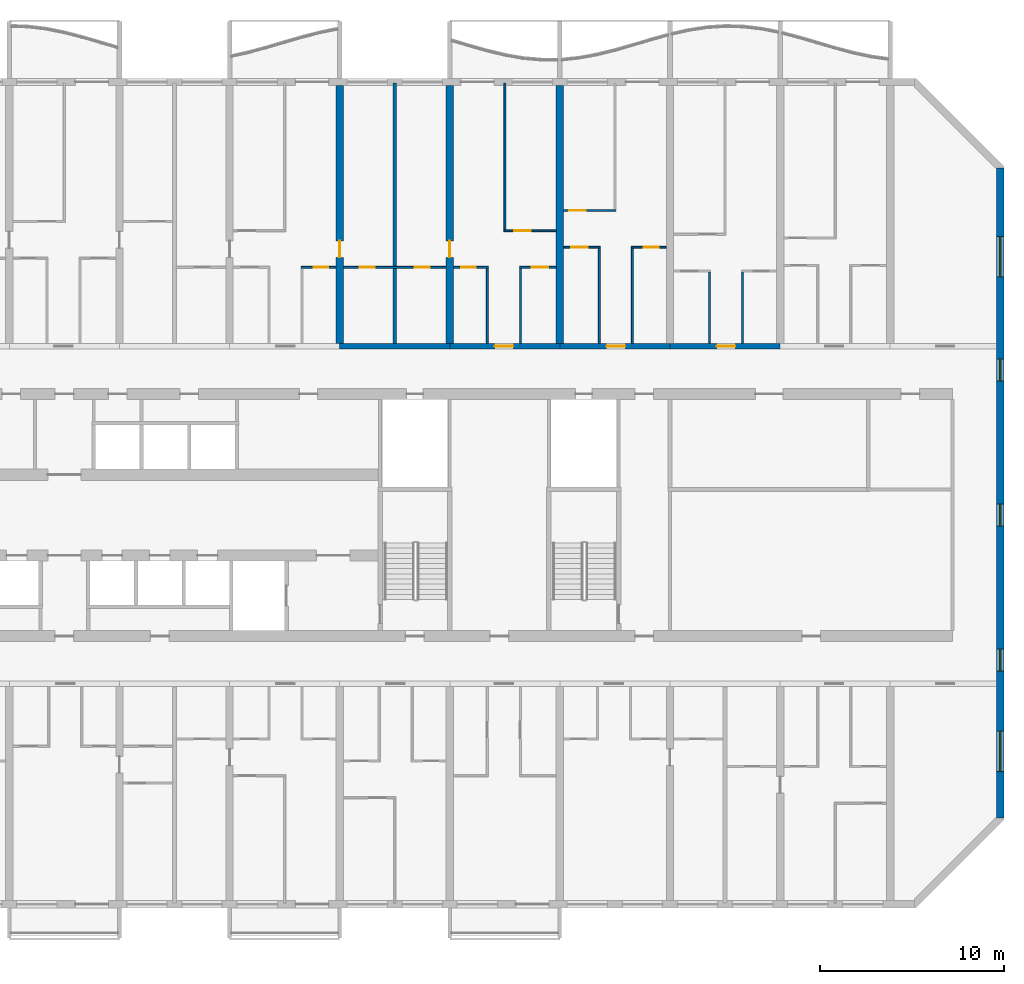
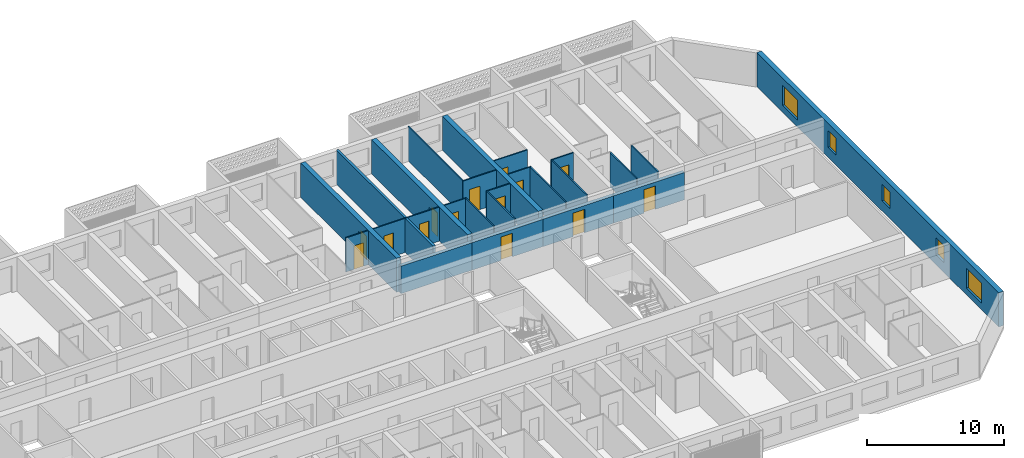
# One storey, part 16 of 40: 24 walls, 14 doors, 5 windows, 19 openings.
"""IFC4 building model written with IfcOpenShell, lengths in metres."""

from ifc_helpers import new_model, si_unit, direction, frame, frame_2d, origin, place, context, subcontext, project, spatial, rectangle, extrude, material, layer, layer_set, type_object, element, fill, save


model = new_model("IFC4")

# Units and contexts
model_context = context("Model", 3, precision=1e-05, world=origin(), true_north=direction((0.0, 1.0)))
body_context = subcontext(model_context, "Body", "Model", "MODEL_VIEW")
ifc_project = project(units=[si_unit("LENGTHUNIT", "METRE"), si_unit("AREAUNIT", "SQUARE_METRE"), si_unit("VOLUMEUNIT", "CUBIC_METRE"), si_unit("PLANEANGLEUNIT", "RADIAN"), si_unit("MASSUNIT", "GRAM", prefix="KILO")], contexts=[model_context])

# Site, building, storey
site_placement = place(None, origin())
site = spatial("IfcSite", under=ifc_project, at=site_placement, CompositionType="ELEMENT")
building_placement = place(site_placement, origin())
building = spatial("IfcBuilding", under=site, at=building_placement, Name="Poui Terraces", CompositionType="ELEMENT")
storey_placement = place(building_placement, frame((0.0, 0.0, 36.60009765625)))
storey = spatial("IfcBuildingStorey", under=building, at=storey_placement, Name="L09", CompositionType="ELEMENT", Elevation=36.60009765625)

# Wall
ifc_material_1 = material(Name="Concrete 80 MPa", Category="concrete")
ifc_layer_1 = layer(ifc_material_1, 0.300048828125)
ifc_layer_set_1 = layer_set([ifc_layer_1], Name="Concrete 80 MPa")
wall_type_1 = type_object("IfcWallType", Name="CORRIDOR WALL 300 80MPa", PredefinedType="SHEAR", material=ifc_layer_set_1)
wall_1_placement = place(storey_placement, frame((66.0, 30.39990234375, 0.0), z_axis=(0.0, 0.0, 1.0), x_axis=(1.0, 0.0, 0.0)))
element("IfcWall", 1, at=wall_1_placement, inside=storey, type_object=wall_type_1, Name="CORRIDOR WALL LINE E BAY 12", PredefinedType="SHEAR", context=body_context, shape_type="SweptSolid", body=[
    extrude(rectangle(XDim=6.0, YDim=0.300048828125, at=frame_2d((3.0, 0.0))), origin(), (0.0, 0.0, 1.0), 2.449951171875),
])

# Wall, opening, door
wall_2_placement = place(storey_placement, frame((72.0, 30.39990234375, 0.0), z_axis=(0.0, 0.0, 1.0), x_axis=(1.0, 0.0, 0.0)))
wall_2 = element("IfcWall", 2, at=wall_2_placement, inside=storey, type_object=wall_type_1, Name="CORRIDOR WALL LINE E BAY 13", PredefinedType="SHEAR", context=body_context, shape_type="SweptSolid", body=[
    extrude(rectangle(XDim=6.0, YDim=0.300048828125, at=frame_2d((3.0, 0.0))), origin(), (0.0, 0.0, 1.0), 2.449951171875),
])
opening_1_placement = place(wall_2_placement, frame((2.449951171875, 0.0, 0.0)))
opening_1 = element("IfcOpeningElement", 3, at=opening_1_placement, cuts=wall_2, Name="Opening FD30S", PredefinedType="OPENING", context=body_context, shape_type="SweptSolid", body=[
    extrude(rectangle(XDim=1.0, YDim=2.10009765625, at=frame_2d((0.5, 1.050048828125))), frame((0.0, 0.16015625, 0.0), z_axis=(0.0, -1.0, 0.0), x_axis=(1.0, 0.0, 0.0)), (0.0, 0.0, 1.0), 0.320068359375),
])
ifc_material_2 = material(Name="Steel fire door", Category="steel")
door_type_1 = type_object("IfcDoorType", Name="FLAT ENTRANCE DOOR 1000 X 2100", OperationType="NOTDEFINED", PredefinedType="DOOR", material=ifc_material_2)
door_1_placement = place(opening_1_placement, origin())
door_1 = element("IfcDoor", 4, at=door_1_placement, inside=storey, type_object=door_type_1, Name="FLAT ENTRANCE DOOR 074", OperationType="SINGLE_SWING_LEFT", OverallHeight=2.10009765625, OverallWidth=1.0, PredefinedType="DOOR", context=body_context, shape_type="SweptSolid", body=[
    extrude(rectangle(XDim=1.0, YDim=2.10009765625, at=frame_2d((0.5, 1.050048828125))), frame((0.0, 0.02490234375, 0.0), z_axis=(0.0, -1.0, 0.0), x_axis=(1.0, 0.0, 0.0)), (0.0, 0.0, 1.0), 0.050048828125),
])
fill(opening_1, door_1)

wall_3_placement = place(storey_placement, frame((78.0, 30.39990234375, 0.0), z_axis=(0.0, 0.0, 1.0), x_axis=(1.0, 0.0, 0.0)))
wall_3 = element("IfcWall", 5, at=wall_3_placement, inside=storey, type_object=wall_type_1, Name="CORRIDOR WALL LINE E BAY 14", PredefinedType="SHEAR", context=body_context, shape_type="SweptSolid", body=[
    extrude(rectangle(XDim=6.0, YDim=0.300048828125, at=frame_2d((3.0, 0.0))), origin(), (0.0, 0.0, 1.0), 2.449951171875),
])
opening_2_placement = place(wall_3_placement, frame((2.550048828125, 0.0, 0.0)))
opening_2 = element("IfcOpeningElement", 6, at=opening_2_placement, cuts=wall_3, Name="Opening FD30S", PredefinedType="OPENING", context=body_context, shape_type="SweptSolid", body=[
    extrude(rectangle(XDim=1.0, YDim=2.10009765625, at=frame_2d((0.5, 1.050048828125))), frame((0.0, 0.16015625, 0.0), z_axis=(0.0, -1.0, 0.0), x_axis=(1.0, 0.0, 0.0)), (0.0, 0.0, 1.0), 0.320068359375),
])
door_2_placement = place(opening_2_placement, origin())
door_2 = element("IfcDoor", 7, at=door_2_placement, inside=storey, type_object=door_type_1, Name="FLAT ENTRANCE DOOR 079", OperationType="SINGLE_SWING_RIGHT", OverallHeight=2.10009765625, OverallWidth=1.0, PredefinedType="DOOR", context=body_context, shape_type="SweptSolid", body=[
    extrude(rectangle(XDim=1.0, YDim=2.10009765625, at=frame_2d((0.5, 1.050048828125))), frame((0.0, 0.02490234375, 0.0), z_axis=(0.0, -1.0, 0.0), x_axis=(1.0, 0.0, 0.0)), (0.0, 0.0, 1.0), 0.050048828125),
])
fill(opening_2, door_2)

wall_4_placement = place(storey_placement, frame((84.0, 30.39990234375, 0.0), z_axis=(0.0, 0.0, 1.0), x_axis=(1.0, 0.0, 0.0)))
wall_4 = element("IfcWall", 8, at=wall_4_placement, inside=storey, type_object=wall_type_1, Name="CORRIDOR WALL LINE E BAY 15", PredefinedType="SHEAR", context=body_context, shape_type="SweptSolid", body=[
    extrude(rectangle(XDim=6.0, YDim=0.300048828125, at=frame_2d((3.0, 0.0))), origin(), (0.0, 0.0, 1.0), 2.449951171875),
])
opening_3_placement = place(wall_4_placement, frame((2.550048828125, 0.0, 0.0)))
opening_3 = element("IfcOpeningElement", 9, at=opening_3_placement, cuts=wall_4, Name="Opening FD30S", PredefinedType="OPENING", context=body_context, shape_type="SweptSolid", body=[
    extrude(rectangle(XDim=1.0, YDim=2.10009765625, at=frame_2d((0.5, 1.050048828125))), frame((0.0, 0.16015625, 0.0), z_axis=(0.0, -1.0, 0.0), x_axis=(1.0, 0.0, 0.0)), (0.0, 0.0, 1.0), 0.320068359375),
])
door_3_placement = place(opening_3_placement, origin())
door_3 = element("IfcDoor", 10, at=door_3_placement, inside=storey, type_object=door_type_1, Name="FLAT ENTRANCE DOOR 083", OperationType="SINGLE_SWING_RIGHT", OverallHeight=2.10009765625, OverallWidth=1.0, PredefinedType="DOOR", context=body_context, shape_type="SweptSolid", body=[
    extrude(rectangle(XDim=1.0, YDim=2.10009765625, at=frame_2d((0.5, 1.050048828125))), frame((0.0, 0.02490234375, 0.0), z_axis=(0.0, -1.0, 0.0), x_axis=(1.0, 0.0, 0.0)), (0.0, 0.0, 1.0), 0.050048828125),
])
fill(opening_3, door_3)

ifc_layer_2 = layer(ifc_material_1, 0.39990234375)
ifc_layer_set_2 = layer_set([ifc_layer_2], Name="Concrete 80 MPa")
wall_type_2 = type_object("IfcWallType", Name="CROSS WALL 400 80MPa", PredefinedType="SHEAR", material=ifc_layer_set_2)
wall_5_placement = place(storey_placement, frame((66.0, 30.550048828125, 0.0), z_axis=(0.0, 0.0, 1.0), x_axis=(0.0, 1.0, 0.0)))
wall_5 = element("IfcWall", 11, at=wall_5_placement, inside=storey, type_object=wall_type_2, Name="CROSS WALL LINE 12 NORTH", PredefinedType="SHEAR", context=body_context, shape_type="SweptSolid", body=[
    extrude(rectangle(XDim=14.050048828125, YDim=0.39990234375, at=frame_2d((7.02490234375, 0.0))), origin(), (0.0, 0.0, 1.0), 3.0498046875),
])
opening_4_placement = place(wall_5_placement, frame((4.699951171875, 0.0, 0.0)))
opening_4 = element("IfcOpeningElement", 12, at=opening_4_placement, cuts=wall_5, Name="Opening D90", PredefinedType="OPENING", context=body_context, shape_type="SweptSolid", body=[
    extrude(rectangle(XDim=0.89990234375, YDim=2.10009765625, at=frame_2d((0.449951171875, 1.050048828125))), frame((0.0, 0.2099609375, 0.0), z_axis=(0.0, -1.0, 0.0), x_axis=(1.0, 0.0, 0.0)), (0.0, 0.0, 1.0), 0.419921875),
])
ifc_material_3 = material(Name="Solid core timber door", Category="wood")
door_type_2 = type_object("IfcDoorType", Name="INTERNAL DOOR 900 X 2100", OperationType="NOTDEFINED", PredefinedType="DOOR", material=ifc_material_3)
door_4_placement = place(opening_4_placement, frame((0.89990234375, 0.0, 0.0), z_axis=(0.0, 0.0, 1.0), x_axis=(-1.0, 0.0, 0.0)))
door_4 = element("IfcDoor", 13, at=door_4_placement, inside=storey, type_object=door_type_2, Name="INTERNAL DOOR 070", OperationType="SINGLE_SWING_RIGHT", OverallHeight=2.10009765625, OverallWidth=0.89990234375, PredefinedType="DOOR", context=body_context, shape_type="SweptSolid", body=[
    extrude(rectangle(XDim=0.89990234375, YDim=2.10009765625, at=frame_2d((0.449951171875, 1.050048828125))), frame((0.0, 0.02490234375, 0.0), z_axis=(0.0, -1.0, 0.0), x_axis=(1.0, 0.0, 0.0)), (0.0, 0.0, 1.0), 0.050048828125),
])
fill(opening_4, door_4)

wall_6_placement = place(storey_placement, frame((72.0, 30.550048828125, 0.0), z_axis=(0.0, 0.0, 1.0), x_axis=(0.0, 1.0, 0.0)))
wall_6 = element("IfcWall", 14, at=wall_6_placement, inside=storey, type_object=wall_type_2, Name="CROSS WALL LINE 13 NORTH", PredefinedType="SHEAR", context=body_context, shape_type="SweptSolid", body=[
    extrude(rectangle(XDim=14.050048828125, YDim=0.39990234375, at=frame_2d((7.02490234375, 0.0))), origin(), (0.0, 0.0, 1.0), 3.0498046875),
])
opening_5_placement = place(wall_6_placement, frame((4.699951171875, 0.0, 0.0)))
opening_5 = element("IfcOpeningElement", 15, at=opening_5_placement, cuts=wall_6, Name="Opening D90", PredefinedType="OPENING", context=body_context, shape_type="SweptSolid", body=[
    extrude(rectangle(XDim=0.89990234375, YDim=2.10009765625, at=frame_2d((0.449951171875, 1.050048828125))), frame((0.0, 0.2099609375, 0.0), z_axis=(0.0, -1.0, 0.0), x_axis=(1.0, 0.0, 0.0)), (0.0, 0.0, 1.0), 0.419921875),
])
door_5_placement = place(opening_5_placement, origin())
door_5 = element("IfcDoor", 16, at=door_5_placement, inside=storey, type_object=door_type_2, Name="INTERNAL DOOR 072", OperationType="SINGLE_SWING_LEFT", OverallHeight=2.10009765625, OverallWidth=0.89990234375, PredefinedType="DOOR", context=body_context, shape_type="SweptSolid", body=[
    extrude(rectangle(XDim=0.89990234375, YDim=2.10009765625, at=frame_2d((0.449951171875, 1.050048828125))), frame((0.0, 0.02490234375, 0.0), z_axis=(0.0, -1.0, 0.0), x_axis=(1.0, 0.0, 0.0)), (0.0, 0.0, 1.0), 0.050048828125),
])
fill(opening_5, door_5)

# Wall
wall_7_placement = place(storey_placement, frame((78.0, 30.550048828125, 0.0), z_axis=(0.0, 0.0, 1.0), x_axis=(0.0, 1.0, 0.0)))
element("IfcWall", 17, at=wall_7_placement, inside=storey, type_object=wall_type_2, Name="CROSS WALL LINE 14 NORTH", PredefinedType="SHEAR", context=body_context, shape_type="SweptSolid", body=[
    extrude(rectangle(XDim=14.050048828125, YDim=0.39990234375, at=frame_2d((7.02490234375, 0.0))), origin(), (0.0, 0.0, 1.0), 3.0498046875),
])

# Wall, openings, windows
ifc_layer_3 = layer(ifc_material_1, 0.39990234375)
ifc_layer_set_3 = layer_set([ifc_layer_3], Name="Concrete 80 MPa")
wall_type_3 = type_object("IfcWallType", Name="END WALL 400 80MPa", PredefinedType="SHEAR", material=ifc_layer_set_3)
wall_8_placement = place(storey_placement, frame((102.0, 4.682861328125, 0.0), z_axis=(0.0, 0.0, 1.0), x_axis=(0.0, 1.0, 0.0)))
wall_8 = element("IfcWall", 18, at=wall_8_placement, inside=storey, type_object=wall_type_3, Name="END WALL EAST", PredefinedType="SHEAR", context=body_context, shape_type="SweptSolid", body=[
    extrude(rectangle(XDim=35.434326171875, YDim=0.39990234375, at=frame_2d((17.71728515625, 0.0))), origin(), (0.0, 0.0, 1.0), 3.0498046875),
])
opening_6_placement = place(wall_8_placement, frame((15.917236328125, 0.0, 0.89990234375)))
opening_6 = element("IfcOpeningElement", 19, at=opening_6_placement, cuts=wall_8, Name="Opening W2", PredefinedType="OPENING", context=body_context, shape_type="SweptSolid", body=[
    extrude(rectangle(XDim=1.199951171875, YDim=1.5, at=frame_2d((0.60009765625, 0.75))), frame((0.0, 0.2099609375, 0.0), z_axis=(0.0, -1.0, 0.0), x_axis=(1.0, 0.0, 0.0)), (0.0, 0.0, 1.0), 0.419921875),
])
opening_7_placement = place(wall_8_placement, frame((23.817138671875, 0.0, 0.89990234375)))
opening_7 = element("IfcOpeningElement", 20, at=opening_7_placement, cuts=wall_8, Name="Opening W2", PredefinedType="OPENING", context=body_context, shape_type="SweptSolid", body=[
    extrude(rectangle(XDim=1.199951171875, YDim=1.5, at=frame_2d((0.60009765625, 0.75))), frame((0.0, 0.2099609375, 0.0), z_axis=(0.0, -1.0, 0.0), x_axis=(1.0, 0.0, 0.0)), (0.0, 0.0, 1.0), 0.419921875),
])
opening_8_placement = place(wall_8_placement, frame((8.01708984375, 0.0, 0.89990234375)))
opening_8 = element("IfcOpeningElement", 21, at=opening_8_placement, cuts=wall_8, Name="Opening W2", PredefinedType="OPENING", context=body_context, shape_type="SweptSolid", body=[
    extrude(rectangle(XDim=1.199951171875, YDim=1.5, at=frame_2d((0.60009765625, 0.75))), frame((0.0, 0.2099609375, 0.0), z_axis=(0.0, -1.0, 0.0), x_axis=(1.0, 0.0, 0.0)), (0.0, 0.0, 1.0), 0.419921875),
])
opening_9_placement = place(wall_8_placement, frame((29.493408203125, 0.0, 0.60009765625)))
opening_9 = element("IfcOpeningElement", 22, at=opening_9_placement, cuts=wall_8, Name="Opening W3", PredefinedType="OPENING", context=body_context, shape_type="SweptSolid", body=[
    extrude(rectangle(XDim=2.199951171875, YDim=1.800048828125, at=frame_2d((1.10009765625, 0.89990234375))), frame((0.0, 0.2099609375, 0.0), z_axis=(0.0, -1.0, 0.0), x_axis=(1.0, 0.0, 0.0)), (0.0, 0.0, 1.0), 0.419921875),
])
opening_10_placement = place(wall_8_placement, frame((2.541015625, 0.0, 0.60009765625)))
opening_10 = element("IfcOpeningElement", 23, at=opening_10_placement, cuts=wall_8, Name="Opening W3", PredefinedType="OPENING", context=body_context, shape_type="SweptSolid", body=[
    extrude(rectangle(XDim=2.199951171875, YDim=1.800048828125, at=frame_2d((1.10009765625, 0.89990234375))), frame((0.0, 0.2099609375, 0.0), z_axis=(0.0, -1.0, 0.0), x_axis=(1.0, 0.0, 0.0)), (0.0, 0.0, 1.0), 0.419921875),
])
ifc_material_4 = material(Name="Clear glass in aluminium frame", Category="aluminium")
window_type_1 = type_object("IfcWindowType", Name="WINDOW 1200X1500", PartitioningType="SINGLE_PANEL", PredefinedType="WINDOW", material=ifc_material_4)
window_1_placement = place(opening_6_placement, origin())
window_1 = element("IfcWindow", 24, at=window_1_placement, inside=storey, type_object=window_type_1, Name="W2 WINDOW", OverallHeight=1.5, OverallWidth=1.199951171875, PartitioningType="SINGLE_PANEL", PredefinedType="WINDOW", context=body_context, shape_type="SweptSolid", body=[
    extrude(rectangle(XDim=1.199951171875, YDim=1.5, at=frame_2d((0.60009765625, 0.75))), frame((0.0, 0.030029296875, 0.0), z_axis=(0.0, -1.0, 0.0), x_axis=(1.0, 0.0, 0.0)), (0.0, 0.0, 1.0), 0.06005859375),
])
fill(opening_6, window_1)
window_2_placement = place(opening_7_placement, origin())
window_2 = element("IfcWindow", 25, at=window_2_placement, inside=storey, type_object=window_type_1, Name="W2 WINDOW", OverallHeight=1.5, OverallWidth=1.199951171875, PartitioningType="SINGLE_PANEL", PredefinedType="WINDOW", context=body_context, shape_type="SweptSolid", body=[
    extrude(rectangle(XDim=1.199951171875, YDim=1.5, at=frame_2d((0.60009765625, 0.75))), frame((0.0, 0.030029296875, 0.0), z_axis=(0.0, -1.0, 0.0), x_axis=(1.0, 0.0, 0.0)), (0.0, 0.0, 1.0), 0.06005859375),
])
fill(opening_7, window_2)
window_3_placement = place(opening_8_placement, origin())
window_3 = element("IfcWindow", 26, at=window_3_placement, inside=storey, type_object=window_type_1, Name="W2 WINDOW", OverallHeight=1.5, OverallWidth=1.199951171875, PartitioningType="SINGLE_PANEL", PredefinedType="WINDOW", context=body_context, shape_type="SweptSolid", body=[
    extrude(rectangle(XDim=1.199951171875, YDim=1.5, at=frame_2d((0.60009765625, 0.75))), frame((0.0, 0.030029296875, 0.0), z_axis=(0.0, -1.0, 0.0), x_axis=(1.0, 0.0, 0.0)), (0.0, 0.0, 1.0), 0.06005859375),
])
fill(opening_8, window_3)
window_type_2 = type_object("IfcWindowType", Name="WINDOW 2200X1800", PartitioningType="DOUBLE_PANEL_HORIZONTAL", PredefinedType="WINDOW", material=ifc_material_4)
window_4_placement = place(opening_9_placement, origin())
window_4 = element("IfcWindow", 27, at=window_4_placement, inside=storey, type_object=window_type_2, Name="W3 WINDOW", OverallHeight=1.800048828125, OverallWidth=2.199951171875, PartitioningType="DOUBLE_PANEL_HORIZONTAL", PredefinedType="WINDOW", context=body_context, shape_type="SweptSolid", body=[
    extrude(rectangle(XDim=2.199951171875, YDim=1.800048828125, at=frame_2d((1.10009765625, 0.89990234375))), frame((0.0, 0.030029296875, 0.0), z_axis=(0.0, -1.0, 0.0), x_axis=(1.0, 0.0, 0.0)), (0.0, 0.0, 1.0), 0.06005859375),
])
fill(opening_9, window_4)
window_5_placement = place(opening_10_placement, origin())
window_5 = element("IfcWindow", 28, at=window_5_placement, inside=storey, type_object=window_type_2, Name="W3 WINDOW", OverallHeight=1.800048828125, OverallWidth=2.199951171875, PartitioningType="DOUBLE_PANEL_HORIZONTAL", PredefinedType="WINDOW", context=body_context, shape_type="SweptSolid", body=[
    extrude(rectangle(XDim=2.199951171875, YDim=1.800048828125, at=frame_2d((1.10009765625, 0.89990234375))), frame((0.0, 0.030029296875, 0.0), z_axis=(0.0, -1.0, 0.0), x_axis=(1.0, 0.0, 0.0)), (0.0, 0.0, 1.0), 0.06005859375),
])
fill(opening_10, window_5)

# Wall, opening, door
ifc_material_5 = material(Name="Plasterboard partition")
ifc_layer_4 = layer(ifc_material_5, 0.10009765625)
ifc_layer_set_4 = layer_set([ifc_layer_4], Name="Plasterboard partition")
wall_type_4 = type_object("IfcWallType", Name="FLAT PARTITION 100", PredefinedType="PARTITIONING", material=ifc_layer_set_4)
wall_9_placement = place(storey_placement, frame((63.89990234375, 34.699951171875, 0.0), z_axis=(0.0, 0.0, 1.0), x_axis=(1.0, 0.0, 0.0)))
wall_9 = element("IfcWall", 29, at=wall_9_placement, inside=storey, type_object=wall_type_4, Name="FLAT PARTITION 100", PredefinedType="PARTITIONING", context=body_context, shape_type="SweptSolid", body=[
    extrude(rectangle(XDim=1.89013671875, YDim=0.10009765625, at=frame_2d((0.945068359375, 0.0))), origin(), (0.0, 0.0, 1.0), 3.0498046875),
])
opening_11_placement = place(wall_9_placement, frame((0.675048828125, 0.0, 0.0)))
opening_11 = element("IfcOpeningElement", 30, at=opening_11_placement, cuts=wall_9, Name="Opening D80", PredefinedType="OPENING", context=body_context, shape_type="SweptSolid", body=[
    extrude(rectangle(XDim=0.800048828125, YDim=2.10009765625, at=frame_2d((0.39990234375, 1.050048828125))), frame((0.0, 0.06005859375, 0.0), z_axis=(0.0, -1.0, 0.0), x_axis=(1.0, 0.0, 0.0)), (0.0, 0.0, 1.0), 0.1201171875),
])
door_type_3 = type_object("IfcDoorType", Name="BATHROOM, LAUNDRY AND STORE DOOR 800 X 2100", OperationType="NOTDEFINED", PredefinedType="DOOR", material=ifc_material_3)
door_6_placement = place(opening_11_placement, frame((0.800048828125, 0.0, 0.0), z_axis=(0.0, 0.0, 1.0), x_axis=(-1.0, 0.0, 0.0)))
door_6 = element("IfcDoor", 31, at=door_6_placement, inside=storey, type_object=door_type_3, Name="BATHROOM, LAUNDRY AND STORE DOOR 069", OperationType="SINGLE_SWING_LEFT", OverallHeight=2.10009765625, OverallWidth=0.800048828125, PredefinedType="DOOR", context=body_context, shape_type="SweptSolid", body=[
    extrude(rectangle(XDim=0.800048828125, YDim=2.10009765625, at=frame_2d((0.39990234375, 1.050048828125))), frame((0.0, 0.02490234375, 0.0), z_axis=(0.0, -1.0, 0.0), x_axis=(1.0, 0.0, 0.0)), (0.0, 0.0, 1.0), 0.050048828125),
])
fill(opening_11, door_6)

# Wall, openings, doors
wall_10_placement = place(storey_placement, frame((66.2099609375, 34.699951171875, 0.0), z_axis=(0.0, 0.0, 1.0), x_axis=(1.0, 0.0, 0.0)))
wall_10 = element("IfcWall", 32, at=wall_10_placement, inside=storey, type_object=wall_type_4, Name="FLAT PARTITION 100", PredefinedType="PARTITIONING", context=body_context, shape_type="SweptSolid", body=[
    extrude(rectangle(XDim=5.580078125, YDim=0.10009765625, at=frame_2d((2.7900390625, 0.0))), origin(), (0.0, 0.0, 1.0), 3.0498046875),
])
opening_12_placement = place(wall_10_placement, frame((0.889892578125, 0.0, 0.0)))
opening_12 = element("IfcOpeningElement", 33, at=opening_12_placement, cuts=wall_10, Name="Opening D80", PredefinedType="OPENING", context=body_context, shape_type="SweptSolid", body=[
    extrude(rectangle(XDim=0.800048828125, YDim=2.10009765625, at=frame_2d((0.39990234375, 1.050048828125))), frame((0.0, 0.06005859375, 0.0), z_axis=(0.0, -1.0, 0.0), x_axis=(1.0, 0.0, 0.0)), (0.0, 0.0, 1.0), 0.1201171875),
])
opening_13_placement = place(wall_10_placement, frame((3.889892578125, 0.0, 0.0)))
opening_13 = element("IfcOpeningElement", 34, at=opening_13_placement, cuts=wall_10, Name="Opening D80", PredefinedType="OPENING", context=body_context, shape_type="SweptSolid", body=[
    extrude(rectangle(XDim=0.800048828125, YDim=2.10009765625, at=frame_2d((0.39990234375, 1.050048828125))), frame((0.0, 0.06005859375, 0.0), z_axis=(0.0, -1.0, 0.0), x_axis=(1.0, 0.0, 0.0)), (0.0, 0.0, 1.0), 0.1201171875),
])
door_7_placement = place(opening_12_placement, frame((0.800048828125, 0.0, 0.0), z_axis=(0.0, 0.0, 1.0), x_axis=(-1.0, 0.0, 0.0)))
door_7 = element("IfcDoor", 35, at=door_7_placement, inside=storey, type_object=door_type_3, Name="BATHROOM, LAUNDRY AND STORE DOOR 064", OperationType="SINGLE_SWING_RIGHT", OverallHeight=2.10009765625, OverallWidth=0.800048828125, PredefinedType="DOOR", context=body_context, shape_type="SweptSolid", body=[
    extrude(rectangle(XDim=0.800048828125, YDim=2.10009765625, at=frame_2d((0.39990234375, 1.050048828125))), frame((0.0, 0.02490234375, 0.0), z_axis=(0.0, -1.0, 0.0), x_axis=(1.0, 0.0, 0.0)), (0.0, 0.0, 1.0), 0.050048828125),
])
fill(opening_12, door_7)
door_8_placement = place(opening_13_placement, frame((0.800048828125, 0.0, 0.0), z_axis=(0.0, 0.0, 1.0), x_axis=(-1.0, 0.0, 0.0)))
door_8 = element("IfcDoor", 36, at=door_8_placement, inside=storey, type_object=door_type_3, Name="BATHROOM, LAUNDRY AND STORE DOOR 071", OperationType="SINGLE_SWING_LEFT", OverallHeight=2.10009765625, OverallWidth=0.800048828125, PredefinedType="DOOR", context=body_context, shape_type="SweptSolid", body=[
    extrude(rectangle(XDim=0.800048828125, YDim=2.10009765625, at=frame_2d((0.39990234375, 1.050048828125))), frame((0.0, 0.02490234375, 0.0), z_axis=(0.0, -1.0, 0.0), x_axis=(1.0, 0.0, 0.0)), (0.0, 0.0, 1.0), 0.050048828125),
])
fill(opening_13, door_8)

# Wall, opening, door
wall_11_placement = place(storey_placement, frame((72.2099609375, 34.699951171875, 0.0), z_axis=(0.0, 0.0, 1.0), x_axis=(1.0, 0.0, 0.0)))
wall_11 = element("IfcWall", 37, at=wall_11_placement, inside=storey, type_object=wall_type_4, Name="FLAT PARTITION 100", PredefinedType="PARTITIONING", context=body_context, shape_type="SweptSolid", body=[
    extrude(rectangle(XDim=1.89013671875, YDim=0.10009765625, at=frame_2d((0.945068359375, 0.0))), origin(), (0.0, 0.0, 1.0), 3.0498046875),
])
opening_14_placement = place(wall_11_placement, frame((0.4150390625, 0.0, 0.0)))
opening_14 = element("IfcOpeningElement", 38, at=opening_14_placement, cuts=wall_11, Name="Opening D80", PredefinedType="OPENING", context=body_context, shape_type="SweptSolid", body=[
    extrude(rectangle(XDim=0.800048828125, YDim=2.10009765625, at=frame_2d((0.39990234375, 1.050048828125))), frame((0.0, 0.06005859375, 0.0), z_axis=(0.0, -1.0, 0.0), x_axis=(1.0, 0.0, 0.0)), (0.0, 0.0, 1.0), 0.1201171875),
])
door_9_placement = place(opening_14_placement, frame((0.800048828125, 0.0, 0.0), z_axis=(0.0, 0.0, 1.0), x_axis=(-1.0, 0.0, 0.0)))
door_9 = element("IfcDoor", 39, at=door_9_placement, inside=storey, type_object=door_type_3, Name="BATHROOM, LAUNDRY AND STORE DOOR 073", OperationType="SINGLE_SWING_LEFT", OverallHeight=2.10009765625, OverallWidth=0.800048828125, PredefinedType="DOOR", context=body_context, shape_type="SweptSolid", body=[
    extrude(rectangle(XDim=0.800048828125, YDim=2.10009765625, at=frame_2d((0.39990234375, 1.050048828125))), frame((0.0, 0.02490234375, 0.0), z_axis=(0.0, -1.0, 0.0), x_axis=(1.0, 0.0, 0.0)), (0.0, 0.0, 1.0), 0.050048828125),
])
fill(opening_14, door_9)

wall_12_placement = place(storey_placement, frame((75.800048828125, 34.699951171875, 0.0), z_axis=(0.0, 0.0, 1.0), x_axis=(1.0, 0.0, 0.0)))
wall_12 = element("IfcWall", 40, at=wall_12_placement, inside=storey, type_object=wall_type_4, Name="FLAT PARTITION 100", PredefinedType="PARTITIONING", context=body_context, shape_type="SweptSolid", body=[
    extrude(rectangle(XDim=1.989990234375, YDim=0.10009765625, at=frame_2d((0.9951171875, 0.0))), origin(), (0.0, 0.0, 1.0), 3.0498046875),
])
opening_15_placement = place(wall_12_placement, frame((0.675048828125, 0.0, 0.0)))
opening_15 = element("IfcOpeningElement", 41, at=opening_15_placement, cuts=wall_12, Name="Opening D90", PredefinedType="OPENING", context=body_context, shape_type="SweptSolid", body=[
    extrude(rectangle(XDim=0.89990234375, YDim=2.10009765625, at=frame_2d((0.449951171875, 1.050048828125))), frame((0.0, 0.06005859375, 0.0), z_axis=(0.0, -1.0, 0.0), x_axis=(1.0, 0.0, 0.0)), (0.0, 0.0, 1.0), 0.1201171875),
])
door_10_placement = place(opening_15_placement, frame((0.89990234375, 0.0, 0.0), z_axis=(0.0, 0.0, 1.0), x_axis=(-1.0, 0.0, 0.0)))
door_10 = element("IfcDoor", 42, at=door_10_placement, inside=storey, type_object=door_type_2, Name="INTERNAL DOOR 076", OperationType="SINGLE_SWING_RIGHT", OverallHeight=2.10009765625, OverallWidth=0.89990234375, PredefinedType="DOOR", context=body_context, shape_type="SweptSolid", body=[
    extrude(rectangle(XDim=0.89990234375, YDim=2.10009765625, at=frame_2d((0.449951171875, 1.050048828125))), frame((0.0, 0.02490234375, 0.0), z_axis=(0.0, -1.0, 0.0), x_axis=(1.0, 0.0, 0.0)), (0.0, 0.0, 1.0), 0.050048828125),
])
fill(opening_15, door_10)

wall_13_placement = place(storey_placement, frame((78.2099609375, 35.800048828125, 0.0), z_axis=(0.0, 0.0, 1.0), x_axis=(1.0, 0.0, 0.0)))
wall_13 = element("IfcWall", 43, at=wall_13_placement, inside=storey, type_object=wall_type_4, Name="FLAT PARTITION 100", PredefinedType="PARTITIONING", context=body_context, shape_type="SweptSolid", body=[
    extrude(rectangle(XDim=1.989990234375, YDim=0.10009765625, at=frame_2d((0.9951171875, 0.0))), origin(), (0.0, 0.0, 1.0), 3.0498046875),
])
opening_16_placement = place(wall_13_placement, frame((0.4150390625, 0.0, 0.0)))
opening_16 = element("IfcOpeningElement", 44, at=opening_16_placement, cuts=wall_13, Name="Opening D90", PredefinedType="OPENING", context=body_context, shape_type="SweptSolid", body=[
    extrude(rectangle(XDim=0.89990234375, YDim=2.10009765625, at=frame_2d((0.449951171875, 1.050048828125))), frame((0.0, 0.06005859375, 0.0), z_axis=(0.0, -1.0, 0.0), x_axis=(1.0, 0.0, 0.0)), (0.0, 0.0, 1.0), 0.1201171875),
])
door_11_placement = place(opening_16_placement, frame((0.89990234375, 0.0, 0.0), z_axis=(0.0, 0.0, 1.0), x_axis=(-1.0, 0.0, 0.0)))
door_11 = element("IfcDoor", 45, at=door_11_placement, inside=storey, type_object=door_type_2, Name="INTERNAL DOOR 078", OperationType="SINGLE_SWING_RIGHT", OverallHeight=2.10009765625, OverallWidth=0.89990234375, PredefinedType="DOOR", context=body_context, shape_type="SweptSolid", body=[
    extrude(rectangle(XDim=0.89990234375, YDim=2.10009765625, at=frame_2d((0.449951171875, 1.050048828125))), frame((0.0, 0.02490234375, 0.0), z_axis=(0.0, -1.0, 0.0), x_axis=(1.0, 0.0, 0.0)), (0.0, 0.0, 1.0), 0.050048828125),
])
fill(opening_16, door_11)

wall_14_placement = place(storey_placement, frame((81.89990234375, 35.800048828125, 0.0), z_axis=(0.0, 0.0, 1.0), x_axis=(1.0, 0.0, 0.0)))
wall_14 = element("IfcWall", 46, at=wall_14_placement, inside=storey, type_object=wall_type_4, Name="FLAT PARTITION 100", PredefinedType="PARTITIONING", context=body_context, shape_type="SweptSolid", body=[
    extrude(rectangle(XDim=1.89013671875, YDim=0.10009765625, at=frame_2d((0.945068359375, 0.0))), origin(), (0.0, 0.0, 1.0), 3.0498046875),
])
opening_17_placement = place(wall_14_placement, frame((0.675048828125, 0.0, 0.0)))
opening_17 = element("IfcOpeningElement", 47, at=opening_17_placement, cuts=wall_14, Name="Opening D80", PredefinedType="OPENING", context=body_context, shape_type="SweptSolid", body=[
    extrude(rectangle(XDim=0.800048828125, YDim=2.10009765625, at=frame_2d((0.39990234375, 1.050048828125))), frame((0.0, 0.06005859375, 0.0), z_axis=(0.0, -1.0, 0.0), x_axis=(1.0, 0.0, 0.0)), (0.0, 0.0, 1.0), 0.1201171875),
])
door_12_placement = place(opening_17_placement, frame((0.800048828125, 0.0, 0.0), z_axis=(0.0, 0.0, 1.0), x_axis=(-1.0, 0.0, 0.0)))
door_12 = element("IfcDoor", 48, at=door_12_placement, inside=storey, type_object=door_type_3, Name="BATHROOM, LAUNDRY AND STORE DOOR 080", OperationType="SINGLE_SWING_LEFT", OverallHeight=2.10009765625, OverallWidth=0.800048828125, PredefinedType="DOOR", context=body_context, shape_type="SweptSolid", body=[
    extrude(rectangle(XDim=0.800048828125, YDim=2.10009765625, at=frame_2d((0.39990234375, 1.050048828125))), frame((0.0, 0.02490234375, 0.0), z_axis=(0.0, -1.0, 0.0), x_axis=(1.0, 0.0, 0.0)), (0.0, 0.0, 1.0), 0.050048828125),
])
fill(opening_17, door_12)

wall_15_placement = place(storey_placement, frame((74.949951171875, 36.699951171875, 0.0), z_axis=(0.0, 0.0, 1.0), x_axis=(1.0, 0.0, 0.0)))
wall_15 = element("IfcWall", 49, at=wall_15_placement, inside=storey, type_object=wall_type_4, Name="FLAT PARTITION 100", PredefinedType="PARTITIONING", context=body_context, shape_type="SweptSolid", body=[
    extrude(rectangle(XDim=2.840087890625, YDim=0.10009765625, at=frame_2d((1.419921875, 0.0))), origin(), (0.0, 0.0, 1.0), 3.0498046875),
])
opening_18_placement = place(wall_15_placement, frame((0.550048828125, 0.0, 0.0)))
opening_18 = element("IfcOpeningElement", 50, at=opening_18_placement, cuts=wall_15, Name="Opening D90", PredefinedType="OPENING", context=body_context, shape_type="SweptSolid", body=[
    extrude(rectangle(XDim=0.89990234375, YDim=2.10009765625, at=frame_2d((0.449951171875, 1.050048828125))), frame((0.0, 0.06005859375, 0.0), z_axis=(0.0, -1.0, 0.0), x_axis=(1.0, 0.0, 0.0)), (0.0, 0.0, 1.0), 0.1201171875),
])
door_13_placement = place(opening_18_placement, frame((0.89990234375, 0.0, 0.0), z_axis=(0.0, 0.0, 1.0), x_axis=(-1.0, 0.0, 0.0)))
door_13 = element("IfcDoor", 51, at=door_13_placement, inside=storey, type_object=door_type_2, Name="INTERNAL DOOR 075", OperationType="SINGLE_SWING_LEFT", OverallHeight=2.10009765625, OverallWidth=0.89990234375, PredefinedType="DOOR", context=body_context, shape_type="SweptSolid", body=[
    extrude(rectangle(XDim=0.89990234375, YDim=2.10009765625, at=frame_2d((0.449951171875, 1.050048828125))), frame((0.0, 0.02490234375, 0.0), z_axis=(0.0, -1.0, 0.0), x_axis=(1.0, 0.0, 0.0)), (0.0, 0.0, 1.0), 0.050048828125),
])
fill(opening_18, door_13)

wall_16_placement = place(storey_placement, frame((78.2099609375, 37.800048828125, 0.0), z_axis=(0.0, 0.0, 1.0), x_axis=(1.0, 0.0, 0.0)))
wall_16 = element("IfcWall", 52, at=wall_16_placement, inside=storey, type_object=wall_type_4, Name="FLAT PARTITION 100", PredefinedType="PARTITIONING", context=body_context, shape_type="SweptSolid", body=[
    extrude(rectangle(XDim=2.840087890625, YDim=0.10009765625, at=frame_2d((1.419921875, 0.0))), origin(), (0.0, 0.0, 1.0), 3.0498046875),
])
opening_19_placement = place(wall_16_placement, frame((0.2900390625, 0.0, 0.0)))
opening_19 = element("IfcOpeningElement", 53, at=opening_19_placement, cuts=wall_16, Name="Opening D90", PredefinedType="OPENING", context=body_context, shape_type="SweptSolid", body=[
    extrude(rectangle(XDim=0.89990234375, YDim=2.10009765625, at=frame_2d((0.449951171875, 1.050048828125))), frame((0.0, 0.06005859375, 0.0), z_axis=(0.0, -1.0, 0.0), x_axis=(1.0, 0.0, 0.0)), (0.0, 0.0, 1.0), 0.1201171875),
])
door_14_placement = place(opening_19_placement, frame((0.89990234375, 0.0, 0.0), z_axis=(0.0, 0.0, 1.0), x_axis=(-1.0, 0.0, 0.0)))
door_14 = element("IfcDoor", 54, at=door_14_placement, inside=storey, type_object=door_type_2, Name="INTERNAL DOOR 077", OperationType="SINGLE_SWING_LEFT", OverallHeight=2.10009765625, OverallWidth=0.89990234375, PredefinedType="DOOR", context=body_context, shape_type="SweptSolid", body=[
    extrude(rectangle(XDim=0.89990234375, YDim=2.10009765625, at=frame_2d((0.449951171875, 1.050048828125))), frame((0.0, 0.02490234375, 0.0), z_axis=(0.0, -1.0, 0.0), x_axis=(1.0, 0.0, 0.0)), (0.0, 0.0, 1.0), 0.050048828125),
])
fill(opening_19, door_14)

# Walls
wall_17_placement = place(storey_placement, frame((74.050048828125, 30.56005859375, 0.0), z_axis=(0.0, 0.0, 1.0), x_axis=(0.0, 1.0, 0.0)))
element("IfcWall", 55, at=wall_17_placement, inside=storey, type_object=wall_type_4, Name="FLAT PARTITION 100", PredefinedType="PARTITIONING", context=body_context, shape_type="SweptSolid", body=[
    extrude(rectangle(XDim=4.08984375, YDim=0.10009765625, at=frame_2d((2.044921875, 0.0))), origin(), (0.0, 0.0, 1.0), 3.0498046875),
])
wall_18_placement = place(storey_placement, frame((75.0, 36.75, 0.0), z_axis=(0.0, 0.0, 1.0), x_axis=(0.0, 1.0, 0.0)))
element("IfcWall", 56, at=wall_18_placement, inside=storey, type_object=wall_type_4, Name="FLAT PARTITION 100", PredefinedType="PARTITIONING", context=body_context, shape_type="SweptSolid", body=[
    extrude(rectangle(XDim=7.989990234375, YDim=0.10009765625, at=frame_2d((3.9951171875, 0.0))), origin(), (0.0, 0.0, 1.0), 3.0498046875),
])
wall_19_placement = place(storey_placement, frame((75.85009765625, 30.56005859375, 0.0), z_axis=(0.0, 0.0, 1.0), x_axis=(0.0, 1.0, 0.0)))
element("IfcWall", 57, at=wall_19_placement, inside=storey, type_object=wall_type_4, Name="FLAT PARTITION 100", PredefinedType="PARTITIONING", context=body_context, shape_type="SweptSolid", body=[
    extrude(rectangle(XDim=4.08984375, YDim=0.10009765625, at=frame_2d((2.044921875, 0.0))), origin(), (0.0, 0.0, 1.0), 3.0498046875),
])
for number, where, z_axis, x_axis, name in (
    (58, (80.14990234375, 30.56005859375, 0.0), (0.0, 0.0, 1.0), (0.0, 1.0, 0.0), "FLAT PARTITION 100"),
    (59, (81.949951171875, 30.56005859375, 0.0), (0.0, 0.0, 1.0), (0.0, 1.0, 0.0), "FLAT PARTITION 100"),
):
    element("IfcWall", number, at=place(storey_placement, frame(where, z_axis=z_axis, x_axis=x_axis)), inside=storey, type_object=wall_type_4, Name=name, PredefinedType="PARTITIONING", context=body_context, shape_type="SweptSolid", body=[
        extrude(rectangle(XDim=5.18994140625, YDim=0.10009765625, at=frame_2d((2.594970703125, 0.0))), origin(), (0.0, 0.0, 1.0), 3.0498046875),
    ])
for number, where, z_axis, x_axis, name in (
    (60, (86.14990234375, 30.56005859375, 0.0), (0.0, 0.0, 1.0), (0.0, 1.0, 0.0), "FLAT PARTITION 100"),
    (61, (87.949951171875, 30.56005859375, 0.0), (0.0, 0.0, 1.0), (0.0, 1.0, 0.0), "FLAT PARTITION 100"),
):
    element("IfcWall", number, at=place(storey_placement, frame(where, z_axis=z_axis, x_axis=x_axis)), inside=storey, type_object=wall_type_4, Name=name, PredefinedType="PARTITIONING", context=body_context, shape_type="SweptSolid", body=[
        extrude(rectangle(XDim=3.889892578125, YDim=0.10009765625, at=frame_2d((1.94482421875, 0.0))), origin(), (0.0, 0.0, 1.0), 3.0498046875),
    ])
ifc_material_6 = material(Name="Fire-rated masonry wall", Category="masonry")
ifc_layer_5 = layer(ifc_material_6, 0.199951171875)
ifc_layer_set_5 = layer_set([ifc_layer_5], Name="Fire-rated masonry wall")
wall_type_5 = type_object("IfcWallType", Name="FLAT PARTY WALL 200", PredefinedType="PARTITIONING", material=ifc_layer_set_5)
wall_20_placement = place(storey_placement, frame((69.0, 30.56005859375, 0.0), z_axis=(0.0, 0.0, 1.0), x_axis=(0.0, 1.0, 0.0)))
element("IfcWall", 62, at=wall_20_placement, inside=storey, type_object=wall_type_5, Name="FLAT PARTY WALL 200", PredefinedType="PARTITIONING", context=body_context, shape_type="SweptSolid", body=[
    extrude(rectangle(XDim=14.179931640625, YDim=0.199951171875, at=frame_2d((7.08984375, 0.0))), origin(), (0.0, 0.0, 1.0), 3.0498046875),
])

save(model, "model.ifc")
